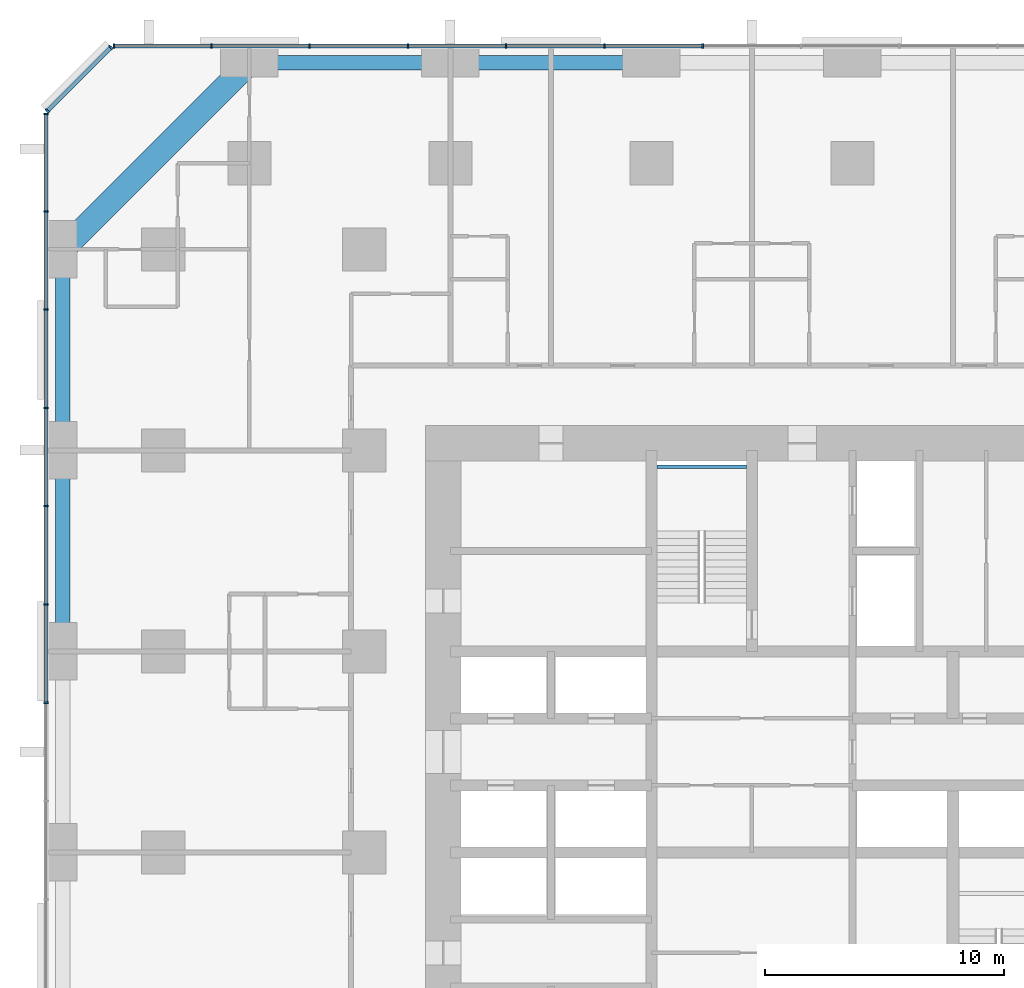
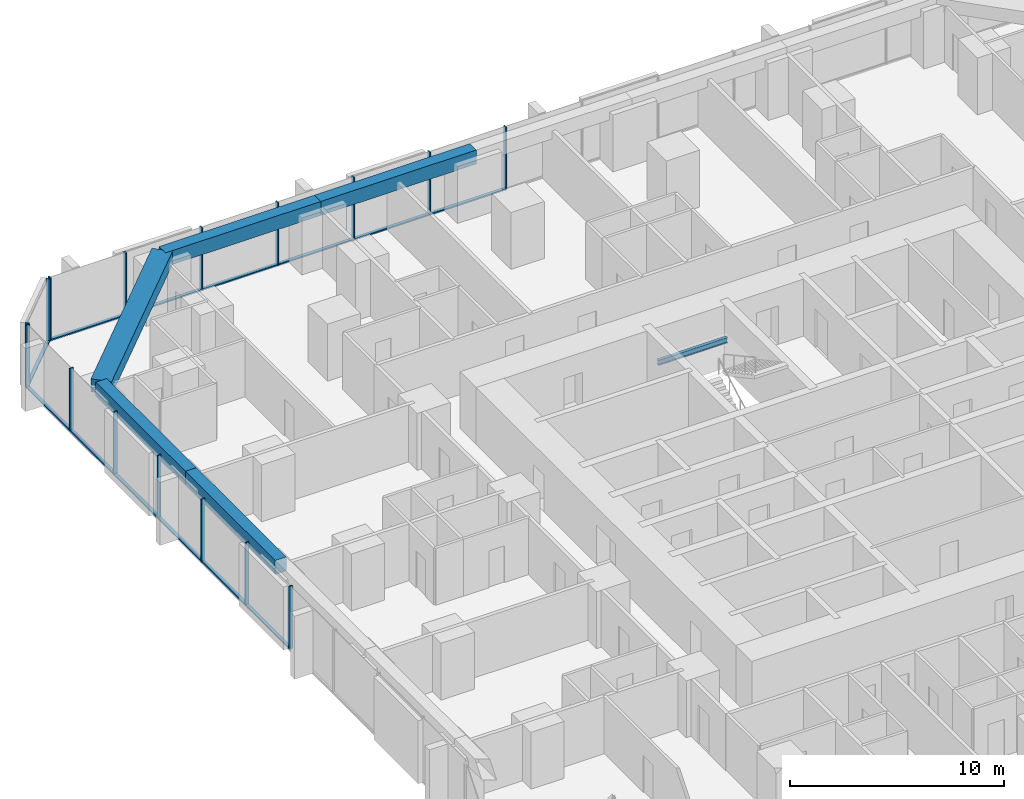
# One storey, part 6 of 17: 29 members, 6 beams, 3 elements without a shape of their own.
"""IFC4 building model written with IfcOpenShell, lengths in metres."""

from ifc_helpers import new_model, si_unit, direction, frame, origin, origin_2d, place, context, subcontext, project, spatial, rectangle, i_section, extrude, material, material_profile, profile_set, type_object, element, aggregate, save


model = new_model("IFC4")

# Units and contexts
model_context = context("Model", 3, precision=1e-05, world=origin(), true_north=direction((0.0, 1.0)))
body_context = subcontext(model_context, "Body", "Model", "MODEL_VIEW")
ifc_project = project(units=[si_unit("LENGTHUNIT", "METRE"), si_unit("AREAUNIT", "SQUARE_METRE"), si_unit("VOLUMEUNIT", "CUBIC_METRE"), si_unit("PLANEANGLEUNIT", "RADIAN"), si_unit("MASSUNIT", "GRAM", prefix="KILO")], contexts=[model_context])

# Site, building, storey
site_placement = place(None, origin())
site = spatial("IfcSite", under=ifc_project, at=site_placement, CompositionType="ELEMENT")
building_placement = place(site_placement, origin())
building = spatial("IfcBuilding", under=site, at=building_placement, Name="Dunama Terrace Hotel", CompositionType="ELEMENT")
storey_placement = place(building_placement, frame((0.0, 0.0, 77.39990234375)))
storey = spatial("IfcBuildingStorey", under=building, at=storey_placement, Name="L19", CompositionType="ELEMENT", Elevation=77.39990234375)

# Curtain wall, members
ifc_material_1 = material(Name="Aluminium curtain wall system", Category="aluminium")
curtain_wall_type = type_object("IfcCurtainWallType", Name="Unitised fritted glass wall CW-A", PredefinedType="NOTDEFINED", material=ifc_material_1)
curtain_wall_1_placement = place(storey_placement, origin())
curtain_wall_1 = element("IfcCurtainWall", 1, at=curtain_wall_1_placement, inside=storey, type_object=curtain_wall_type, Name="Unitised fritted glass wall CW-A L19", PredefinedType="NOTDEFINED")
ifc_material_2 = material(Name="Aluminium mullion", Category="aluminium")
ifc_material_profile_1 = material_profile(ifc_material_2, rectangle(XDim=0.06494140625, YDim=0.199951171875, at=origin_2d()), Name="CWA MULLION 65X200")
ifc_profile_set_1 = profile_set([ifc_material_profile_1], Name="Aluminium mullion")
member_type_1 = type_object("IfcMemberType", Name="CWA mullion 65x200", PredefinedType="MULLION", material=ifc_profile_set_1)
member_1_placement = place(storey_placement, frame((27.345947265625, 58.89990234375, 0.0), z_axis=(0.0, 0.0, 1.0), x_axis=(-1.0, 0.0, 0.0)))
member_1 = element("IfcMember", 2, at=member_1_placement, type_object=member_type_1, Name="CWA mullion", PredefinedType="MULLION", context=body_context, shape_type="SweptSolid", body=[
    extrude(rectangle(XDim=0.06494140625, YDim=0.199951171875, at=origin_2d()), origin(), (0.0, 0.0, 1.0), 3.60009765625),
])
member_2_placement = place(storey_placement, frame((23.238037109375, 58.89990234375, 0.0), z_axis=(0.0, 0.0, 1.0), x_axis=(-1.0, 0.0, 0.0)))
member_2 = element("IfcMember", 3, at=member_2_placement, type_object=member_type_1, Name="CWA mullion", PredefinedType="MULLION", context=body_context, shape_type="SweptSolid", body=[
    extrude(rectangle(XDim=0.06494140625, YDim=0.199951171875, at=origin_2d()), origin(), (0.0, 0.0, 1.0), 3.60009765625),
])
member_3_placement = place(storey_placement, frame((19.131103515625, 58.89990234375, 0.0), z_axis=(0.0, 0.0, 1.0), x_axis=(-1.0, 0.0, 0.0)))
member_3 = element("IfcMember", 4, at=member_3_placement, type_object=member_type_1, Name="CWA mullion", PredefinedType="MULLION", context=body_context, shape_type="SweptSolid", body=[
    extrude(rectangle(XDim=0.06494140625, YDim=0.199951171875, at=origin_2d()), origin(), (0.0, 0.0, 1.0), 3.60009765625),
])
member_4_placement = place(storey_placement, frame((15.02294921875, 58.89990234375, 0.0), z_axis=(0.0, 0.0, 1.0), x_axis=(-1.0, 0.0, 0.0)))
member_4 = element("IfcMember", 5, at=member_4_placement, type_object=member_type_1, Name="CWA mullion", PredefinedType="MULLION", context=body_context, shape_type="SweptSolid", body=[
    extrude(rectangle(XDim=0.06494140625, YDim=0.199951171875, at=origin_2d()), origin(), (0.0, 0.0, 1.0), 3.60009765625),
])
member_5_placement = place(storey_placement, frame((10.9150390625, 58.89990234375, 0.0), z_axis=(0.0, 0.0, 1.0), x_axis=(-1.0, 0.0, 0.0)))
member_5 = element("IfcMember", 6, at=member_5_placement, type_object=member_type_1, Name="CWA mullion", PredefinedType="MULLION", context=body_context, shape_type="SweptSolid", body=[
    extrude(rectangle(XDim=0.06494140625, YDim=0.199951171875, at=origin_2d()), origin(), (0.0, 0.0, 1.0), 3.60009765625),
])
member_6_placement = place(storey_placement, frame((6.80810546875, 58.89990234375, 0.0), z_axis=(0.0, 0.0, 1.0), x_axis=(-1.0, 0.0, 0.0)))
member_6 = element("IfcMember", 7, at=member_6_placement, type_object=member_type_1, Name="CWA mullion", PredefinedType="MULLION", context=body_context, shape_type="SweptSolid", body=[
    extrude(rectangle(XDim=0.06494140625, YDim=0.199951171875, at=origin_2d()), origin(), (0.0, 0.0, 1.0), 3.60009765625),
])
member_7_placement = place(storey_placement, frame((2.73291015625, 58.89990234375, 0.0), z_axis=(0.0, 0.0, 1.0), x_axis=(-1.0, 0.0, 0.0)))
member_7 = element("IfcMember", 8, at=member_7_placement, type_object=member_type_1, Name="CWA mullion", PredefinedType="MULLION", context=body_context, shape_type="SweptSolid", body=[
    extrude(rectangle(XDim=0.06494140625, YDim=0.199951171875, at=origin_2d()), origin(), (0.0, 0.0, 1.0), 3.60009765625),
])

curtain_wall_2_placement = place(storey_placement, origin())
curtain_wall_2 = element("IfcCurtainWall", 9, at=curtain_wall_2_placement, inside=storey, type_object=curtain_wall_type, Name="Unitised fritted glass wall CW-A L19", PredefinedType="NOTDEFINED")
member_8_placement = place(storey_placement, frame((2.60595703125, 58.847900390625, 0.0), z_axis=(0.0, 0.0, 1.0), x_axis=(-0.707106781187, -0.707106781187, 0.0)))
member_8 = element("IfcMember", 10, at=member_8_placement, type_object=member_type_1, Name="CWA mullion", PredefinedType="MULLION", context=body_context, shape_type="SweptSolid", body=[
    extrude(rectangle(XDim=0.06494140625, YDim=0.199951171875, at=origin_2d()), origin(), (0.0, 0.0, 1.0), 3.60009765625),
])
member_9_placement = place(storey_placement, frame((-0.048095703125, 56.194091796875, 0.0), z_axis=(0.0, 0.0, 1.0), x_axis=(-0.707106781187, -0.707106781187, 0.0)))
member_9 = element("IfcMember", 11, at=member_9_placement, type_object=member_type_1, Name="CWA mullion", PredefinedType="MULLION", context=body_context, shape_type="SweptSolid", body=[
    extrude(rectangle(XDim=0.06494140625, YDim=0.199951171875, at=origin_2d()), origin(), (0.0, 0.0, 1.0), 3.60009765625),
])

curtain_wall_3_placement = place(storey_placement, origin())
curtain_wall_3 = element("IfcCurtainWall", 12, at=curtain_wall_3_placement, inside=storey, type_object=curtain_wall_type, Name="Unitised fritted glass wall CW-A L19", PredefinedType="NOTDEFINED")
member_10_placement = place(storey_placement, frame((-0.10009765625, 56.06689453125, 0.0), z_axis=(0.0, 0.0, 1.0), x_axis=(0.0, -1.0, 0.0)))
member_10 = element("IfcMember", 13, at=member_10_placement, type_object=member_type_1, Name="CWA mullion", PredefinedType="MULLION", context=body_context, shape_type="SweptSolid", body=[
    extrude(rectangle(XDim=0.06494140625, YDim=0.199951171875, at=origin_2d()), origin(), (0.0, 0.0, 1.0), 3.60009765625),
])
member_11_placement = place(storey_placement, frame((-0.10009765625, 51.991943359375, 0.0), z_axis=(0.0, 0.0, 1.0), x_axis=(0.0, -1.0, 0.0)))
member_11 = element("IfcMember", 14, at=member_11_placement, type_object=member_type_1, Name="CWA mullion", PredefinedType="MULLION", context=body_context, shape_type="SweptSolid", body=[
    extrude(rectangle(XDim=0.06494140625, YDim=0.199951171875, at=origin_2d()), origin(), (0.0, 0.0, 1.0), 3.60009765625),
])
member_12_placement = place(storey_placement, frame((-0.10009765625, 47.885009765625, 0.0), z_axis=(0.0, 0.0, 1.0), x_axis=(0.0, -1.0, 0.0)))
member_12 = element("IfcMember", 15, at=member_12_placement, type_object=member_type_1, Name="CWA mullion", PredefinedType="MULLION", context=body_context, shape_type="SweptSolid", body=[
    extrude(rectangle(XDim=0.06494140625, YDim=0.199951171875, at=origin_2d()), origin(), (0.0, 0.0, 1.0), 3.60009765625),
])
member_13_placement = place(storey_placement, frame((-0.10009765625, 43.777099609375, 0.0), z_axis=(0.0, 0.0, 1.0), x_axis=(0.0, -1.0, 0.0)))
member_13 = element("IfcMember", 16, at=member_13_placement, type_object=member_type_1, Name="CWA mullion", PredefinedType="MULLION", context=body_context, shape_type="SweptSolid", body=[
    extrude(rectangle(XDim=0.06494140625, YDim=0.199951171875, at=origin_2d()), origin(), (0.0, 0.0, 1.0), 3.60009765625),
])
member_14_placement = place(storey_placement, frame((-0.10009765625, 39.6689453125, 0.0), z_axis=(0.0, 0.0, 1.0), x_axis=(0.0, -1.0, 0.0)))
member_14 = element("IfcMember", 17, at=member_14_placement, type_object=member_type_1, Name="CWA mullion", PredefinedType="MULLION", context=body_context, shape_type="SweptSolid", body=[
    extrude(rectangle(XDim=0.06494140625, YDim=0.199951171875, at=origin_2d()), origin(), (0.0, 0.0, 1.0), 3.60009765625),
])
member_15_placement = place(storey_placement, frame((-0.10009765625, 35.56201171875, 0.0), z_axis=(0.0, 0.0, 1.0), x_axis=(0.0, -1.0, 0.0)))
member_15 = element("IfcMember", 18, at=member_15_placement, type_object=member_type_1, Name="CWA mullion", PredefinedType="MULLION", context=body_context, shape_type="SweptSolid", body=[
    extrude(rectangle(XDim=0.06494140625, YDim=0.199951171875, at=origin_2d()), origin(), (0.0, 0.0, 1.0), 3.60009765625),
])
member_16_placement = place(storey_placement, frame((-0.10009765625, 31.4541015625, 0.0), z_axis=(0.0, 0.0, 1.0), x_axis=(0.0, -1.0, 0.0)))
member_16 = element("IfcMember", 19, at=member_16_placement, type_object=member_type_1, Name="CWA mullion", PredefinedType="MULLION", context=body_context, shape_type="SweptSolid", body=[
    extrude(rectangle(XDim=0.06494140625, YDim=0.199951171875, at=origin_2d()), origin(), (0.0, 0.0, 1.0), 3.60009765625),
])

# Member
ifc_material_3 = material(Name="Aluminium transom", Category="aluminium")
ifc_material_profile_2 = material_profile(ifc_material_3, rectangle(XDim=0.179931640625, YDim=0.074951171875, at=origin_2d()), Name="CWA TRANSOM 180X75")
ifc_profile_set_2 = profile_set([ifc_material_profile_2], Name="Aluminium transom")
member_type_2 = type_object("IfcMemberType", Name="CWA transom 180x75", PredefinedType="USERDEFINED", material=ifc_profile_set_2)
member_17_placement = place(storey_placement, frame((27.31396484375, 58.89990234375, 0.03759765625), z_axis=(-1.0, 0.0, 0.0), x_axis=(0.0, -1.0, 0.0)))
member_17 = element("IfcMember", 20, at=member_17_placement, type_object=member_type_2, Name="CWA transom", ObjectType="TRANSOM", PredefinedType="USERDEFINED", context=body_context, shape_type="SweptSolid", body=[
    extrude(rectangle(XDim=0.179931640625, YDim=0.074951171875, at=origin_2d()), origin(), (0.0, 0.0, 1.0), 4.04296875),
])

member_18_placement = place(storey_placement, frame((23.2060546875, 58.89990234375, 0.03759765625), z_axis=(-1.0, 0.0, 0.0), x_axis=(0.0, -1.0, 0.0)))
member_18 = element("IfcMember", 21, at=member_18_placement, type_object=member_type_2, Name="CWA transom", ObjectType="TRANSOM", PredefinedType="USERDEFINED", context=body_context, shape_type="SweptSolid", body=[
    extrude(rectangle(XDim=0.179931640625, YDim=0.074951171875, at=origin_2d()), origin(), (0.0, 0.0, 1.0), 4.04296875),
])

member_19_placement = place(storey_placement, frame((19.097900390625, 58.89990234375, 0.03759765625), z_axis=(-1.0, 0.0, 0.0), x_axis=(0.0, -1.0, 0.0)))
member_19 = element("IfcMember", 22, at=member_19_placement, type_object=member_type_2, Name="CWA transom", ObjectType="TRANSOM", PredefinedType="USERDEFINED", context=body_context, shape_type="SweptSolid", body=[
    extrude(rectangle(XDim=0.179931640625, YDim=0.074951171875, at=origin_2d()), origin(), (0.0, 0.0, 1.0), 4.0419921875),
])

member_20_placement = place(storey_placement, frame((14.990966796875, 58.89990234375, 0.03759765625), z_axis=(-1.0, 0.0, 0.0), x_axis=(0.0, -1.0, 0.0)))
member_20 = element("IfcMember", 23, at=member_20_placement, type_object=member_type_2, Name="CWA transom", ObjectType="TRANSOM", PredefinedType="USERDEFINED", context=body_context, shape_type="SweptSolid", body=[
    extrude(rectangle(XDim=0.179931640625, YDim=0.074951171875, at=origin_2d()), origin(), (0.0, 0.0, 1.0), 4.04296875),
])

member_21_placement = place(storey_placement, frame((10.883056640625, 58.89990234375, 0.03759765625), z_axis=(-1.0, 0.0, 0.0), x_axis=(0.0, -1.0, 0.0)))
member_21 = element("IfcMember", 24, at=member_21_placement, type_object=member_type_2, Name="CWA transom", ObjectType="TRANSOM", PredefinedType="USERDEFINED", context=body_context, shape_type="SweptSolid", body=[
    extrude(rectangle(XDim=0.179931640625, YDim=0.074951171875, at=origin_2d()), origin(), (0.0, 0.0, 1.0), 4.04296875),
])

member_22_placement = place(storey_placement, frame((6.77490234375, 58.89990234375, 0.03759765625), z_axis=(-1.0, 0.0, 0.0), x_axis=(0.0, -1.0, 0.0)))
member_22 = element("IfcMember", 25, at=member_22_placement, type_object=member_type_2, Name="CWA transom", ObjectType="TRANSOM", PredefinedType="USERDEFINED", context=body_context, shape_type="SweptSolid", body=[
    extrude(rectangle(XDim=0.179931640625, YDim=0.074951171875, at=origin_2d()), origin(), (0.0, 0.0, 1.0), 4.010009765625),
])

aggregate(curtain_wall_1, [member_1, member_2, member_3, member_4, member_5, member_6, member_7, member_17, member_18, member_19, member_20, member_21, member_22])

member_23_placement = place(storey_placement, frame((2.5830078125, 58.824951171875, 0.03759765625), z_axis=(-0.707106781187, -0.707106781187, 0.0), x_axis=(0.707106781187, -0.707106781187, 0.0)))
member_23 = element("IfcMember", 26, at=member_23_placement, type_object=member_type_2, Name="CWA transom", ObjectType="TRANSOM", PredefinedType="USERDEFINED", context=body_context, shape_type="SweptSolid", body=[
    extrude(rectangle(XDim=0.179931640625, YDim=0.074951171875, at=origin_2d()), origin(), (0.0, 0.0, 1.0), 3.688232421875),
])

aggregate(curtain_wall_2, [member_8, member_9, member_23])

member_24_placement = place(storey_placement, frame((-0.10009765625, 56.034912109375, 0.03759765625), z_axis=(0.0, -1.0, 0.0), x_axis=(1.0, 0.0, 0.0)))
member_24 = element("IfcMember", 27, at=member_24_placement, type_object=member_type_2, Name="CWA transom", ObjectType="TRANSOM", PredefinedType="USERDEFINED", context=body_context, shape_type="SweptSolid", body=[
    extrude(rectangle(XDim=0.179931640625, YDim=0.074951171875, at=origin_2d()), origin(), (0.0, 0.0, 1.0), 4.010009765625),
])

member_25_placement = place(storey_placement, frame((-0.10009765625, 51.9599609375, 0.03759765625), z_axis=(0.0, -1.0, 0.0), x_axis=(1.0, 0.0, 0.0)))
member_25 = element("IfcMember", 28, at=member_25_placement, type_object=member_type_2, Name="CWA transom", ObjectType="TRANSOM", PredefinedType="USERDEFINED", context=body_context, shape_type="SweptSolid", body=[
    extrude(rectangle(XDim=0.179931640625, YDim=0.074951171875, at=origin_2d()), origin(), (0.0, 0.0, 1.0), 4.04296875),
])

member_26_placement = place(storey_placement, frame((-0.10009765625, 47.85205078125, 0.03759765625), z_axis=(0.0, -1.0, 0.0), x_axis=(1.0, 0.0, 0.0)))
member_26 = element("IfcMember", 29, at=member_26_placement, type_object=member_type_2, Name="CWA transom", ObjectType="TRANSOM", PredefinedType="USERDEFINED", context=body_context, shape_type="SweptSolid", body=[
    extrude(rectangle(XDim=0.179931640625, YDim=0.074951171875, at=origin_2d()), origin(), (0.0, 0.0, 1.0), 4.04296875),
])

member_27_placement = place(storey_placement, frame((-0.10009765625, 43.743896484375, 0.03759765625), z_axis=(0.0, -1.0, 0.0), x_axis=(1.0, 0.0, 0.0)))
member_27 = element("IfcMember", 30, at=member_27_placement, type_object=member_type_2, Name="CWA transom", ObjectType="TRANSOM", PredefinedType="USERDEFINED", context=body_context, shape_type="SweptSolid", body=[
    extrude(rectangle(XDim=0.179931640625, YDim=0.074951171875, at=origin_2d()), origin(), (0.0, 0.0, 1.0), 4.0419921875),
])

member_28_placement = place(storey_placement, frame((-0.10009765625, 39.636962890625, 0.03759765625), z_axis=(0.0, -1.0, 0.0), x_axis=(1.0, 0.0, 0.0)))
member_28 = element("IfcMember", 31, at=member_28_placement, type_object=member_type_2, Name="CWA transom", ObjectType="TRANSOM", PredefinedType="USERDEFINED", context=body_context, shape_type="SweptSolid", body=[
    extrude(rectangle(XDim=0.179931640625, YDim=0.074951171875, at=origin_2d()), origin(), (0.0, 0.0, 1.0), 4.04296875),
])

member_29_placement = place(storey_placement, frame((-0.10009765625, 35.529052734375, 0.03759765625), z_axis=(0.0, -1.0, 0.0), x_axis=(1.0, 0.0, 0.0)))
member_29 = element("IfcMember", 32, at=member_29_placement, type_object=member_type_2, Name="CWA transom", ObjectType="TRANSOM", PredefinedType="USERDEFINED", context=body_context, shape_type="SweptSolid", body=[
    extrude(rectangle(XDim=0.179931640625, YDim=0.074951171875, at=origin_2d()), origin(), (0.0, 0.0, 1.0), 4.04296875),
])

aggregate(curtain_wall_3, [member_10, member_11, member_12, member_13, member_14, member_15, member_16, member_24, member_25, member_26, member_27, member_28, member_29])

# Beams
ifc_material_4 = material(Name="Concrete C50/60", Category="concrete")
ifc_material_profile_3 = material_profile(ifc_material_4, rectangle(XDim=1.0, YDim=0.75, at=origin_2d()), Name="RC 1000x750")
ifc_profile_set_3 = profile_set([ifc_material_profile_3], Name="Concrete C50/60")
beam_type_1 = type_object("IfcBeamType", Name="Edge beam RC 1000x750", PredefinedType="SPANDREL", material=ifc_profile_set_3)
beam_1_placement = place(storey_placement, frame((8.39990234375, 58.199951171875, 3.22509765625), z_axis=(-0.707095714747, -0.707117847453, 0.0), x_axis=(0.707117847453, -0.707095714747, 0.0)))
element("IfcBeam", 33, at=beam_1_placement, inside=storey, type_object=beam_type_1, Name="Corner edge beam under L20", PredefinedType="SPANDREL", context=body_context, shape_type="SweptSolid", body=[
    extrude(rectangle(XDim=1.0, YDim=0.75, at=origin_2d()), origin(), (0.0, 0.0, 1.0), 11.03076171875),
])
ifc_material_5 = material(Name="Concrete C40/50", Category="concrete")
ifc_material_profile_4 = material_profile(ifc_material_5, rectangle(XDim=0.60009765625, YDim=0.800048828125, at=origin_2d()), Name="RC 600x800")
ifc_profile_set_4 = profile_set([ifc_material_profile_4], Name="Concrete C40/50")
beam_type_2 = type_object("IfcBeamType", Name="Edge beam RC 600x800", PredefinedType="SPANDREL", material=ifc_profile_set_4)
for number, where, z_axis, x_axis, name in (
    (34, (0.60009765625, 33.60009765625, 3.2001953125), (0.0, 1.0, 0.0), (-1.0, 0.0, 0.0), "Edge beam under L20"),
    (35, (0.60009765625, 42.0, 3.2001953125), (0.0, 1.0, 0.0), (-1.0, 0.0, 0.0), "Edge beam under L20"),
):
    element("IfcBeam", number, at=place(storey_placement, frame(where, z_axis=z_axis, x_axis=x_axis)), inside=storey, type_object=beam_type_2, Name=name, PredefinedType="SPANDREL", context=body_context, shape_type="SweptSolid", body=[
        extrude(rectangle(XDim=0.60009765625, YDim=0.800048828125, at=origin_2d()), origin(), (0.0, 0.0, 1.0), 8.39990234375),
    ])
beam_2_placement = place(storey_placement, frame((8.39990234375, 58.199951171875, 3.2001953125), z_axis=(1.0, 0.0, 0.0), x_axis=(0.0, 1.0, 0.0)))
element("IfcBeam", 36, at=beam_2_placement, inside=storey, type_object=beam_type_2, Name="Edge beam under L20", PredefinedType="SPANDREL", context=body_context, shape_type="SweptSolid", body=[
    extrude(rectangle(XDim=0.60009765625, YDim=0.800048828125, at=origin_2d()), origin(), (0.0, 0.0, 1.0), 8.400146484375),
])
beam_3_placement = place(storey_placement, frame((16.800048828125, 58.199951171875, 3.2001953125), z_axis=(1.0, 0.0, 0.0), x_axis=(0.0, 1.0, 0.0)))
element("IfcBeam", 37, at=beam_3_placement, inside=storey, type_object=beam_type_2, Name="Edge beam under L20", PredefinedType="SPANDREL", context=body_context, shape_type="SweptSolid", body=[
    extrude(rectangle(XDim=0.60009765625, YDim=0.800048828125, at=origin_2d()), origin(), (0.0, 0.0, 1.0), 8.39990234375),
])
ifc_material_6 = material(Name="Steel S355", Category="steel")
ifc_material_profile_5 = material_profile(ifc_material_6, i_section(OverallWidth=0.1650390625, OverallDepth=0.303466796875, WebThickness=0.006103515625, FlangeThickness=0.01025390625, FilletRadius=0.0087890625, at=origin_2d()), Name="UB 305x165x40")
ifc_profile_set_5 = profile_set([ifc_material_profile_5], Name="Steel S355")
beam_type_3 = type_object("IfcBeamType", Name="Stair beam UB 305x165x40", PredefinedType="BEAM", material=ifc_profile_set_5)
beam_4_placement = place(storey_placement, frame((25.425048828125, 41.3173828125, 1.448486328125), z_axis=(1.0, 0.0, 0.0), x_axis=(0.0, 1.0, 0.0)))
element("IfcBeam", 38, at=beam_4_placement, inside=storey, type_object=beam_type_3, Name="Stair landing beam ST1 L19", PredefinedType="BEAM", context=body_context, shape_type="SweptSolid", body=[
    extrude(i_section(OverallWidth=0.1650390625, OverallDepth=0.303466796875, WebThickness=0.006103515625, FlangeThickness=0.01025390625, FilletRadius=0.0087890625, at=origin_2d()), origin(), (0.0, 0.0, 1.0), 3.75),
])

save(model, "model.ifc")
